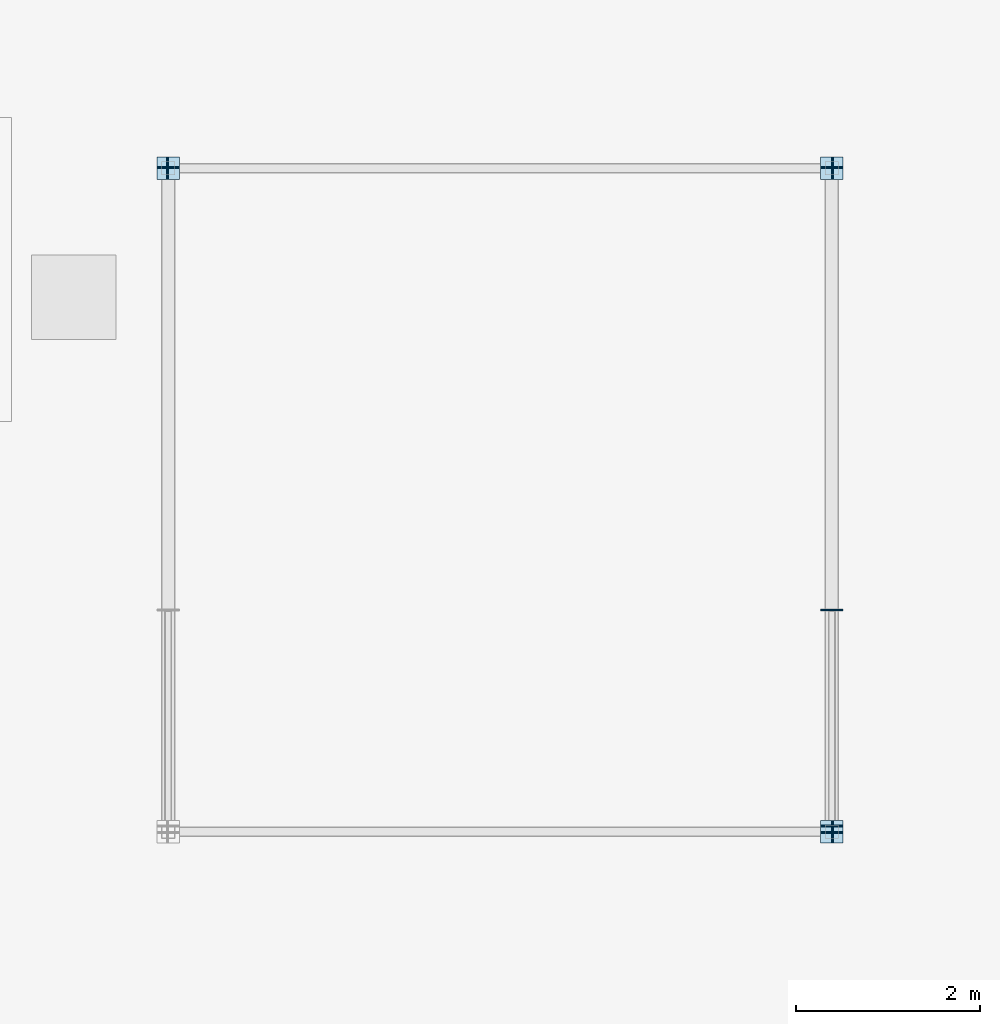
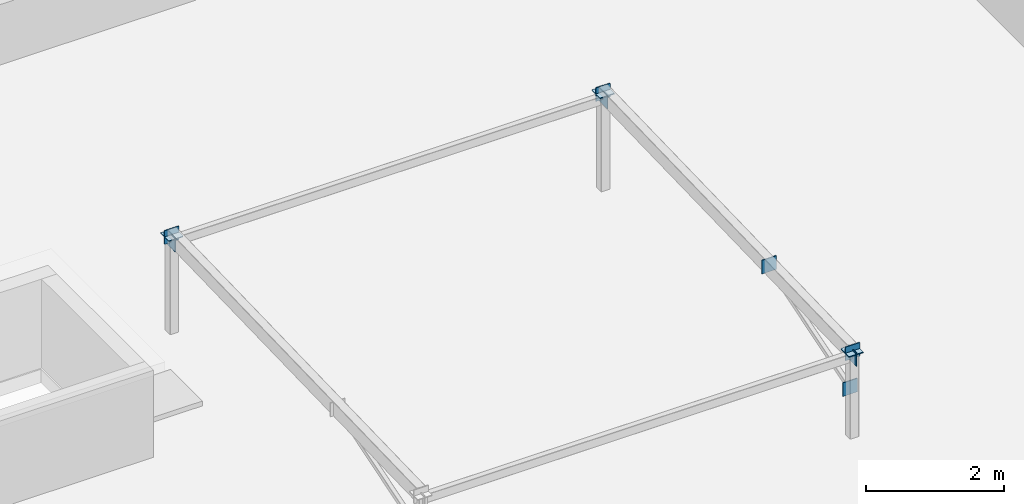
# One storey, part 8 of 16: 11 plates.
"""IFC4 building model written with IfcOpenShell, lengths in metres."""

from ifc_helpers import new_model, si_unit, direction, frame, origin, origin_2d, place, context, subcontext, project, spatial, rectangle, extrude, material, layer, layer_set, type_object, element, save


model = new_model("IFC4")

# Units and contexts
model_context = context("Model", 3, precision=1e-05, world=origin(), true_north=direction((0.0, 1.0)))
body_context = subcontext(model_context, "Body", "Model", "MODEL_VIEW")
ifc_project = project(units=[si_unit("LENGTHUNIT", "METRE"), si_unit("AREAUNIT", "SQUARE_METRE"), si_unit("VOLUMEUNIT", "CUBIC_METRE"), si_unit("PLANEANGLEUNIT", "RADIAN"), si_unit("MASSUNIT", "GRAM", prefix="KILO")], contexts=[model_context])

# Site, building, storey
site_placement = place(None, origin())
site = spatial("IfcSite", under=ifc_project, at=site_placement, CompositionType="ELEMENT")
building_placement = place(site_placement, origin())
building = spatial("IfcBuilding", under=site, at=building_placement, Name="Ochrevale Crest", CompositionType="ELEMENT")
storey_placement = place(building_placement, frame((0.0, 0.0, 46.5)))
storey = spatial("IfcBuildingStorey", under=building, at=storey_placement, Name="L14", CompositionType="ELEMENT", Elevation=46.5)

# Plates
ifc_material = material(Name="Steel S355", Category="steel")
ifc_layer = layer(ifc_material, 0.01611328125)
ifc_layer_set = layer_set([ifc_layer], Name="Steel S355")
plate_type = type_object("IfcPlateType", Name="PLT-CAP-16", PredefinedType="USERDEFINED", material=ifc_layer_set)
plate_1_placement = place(storey_placement, frame((151.199951171875, 28.800048828125, 1.719970703125), z_axis=(0.0, 0.0, 1.0), x_axis=(1.0, 0.0, 0.0)))
element("IfcPlate", 1, at=plate_1_placement, inside=storey, type_object=plate_type, Name="Block C solar-frame support post welded end cap plate CE", ObjectType="CAP PLATE", PredefinedType="USERDEFINED", context=body_context, shape_type="SweptSolid", body=[
    extrude(rectangle(XDim=0.239990234375, YDim=0.239990234375, at=origin_2d()), origin(), (0.0, 0.0, 1.0), 0.01611328125),
])
plate_2_placement = place(storey_placement, frame((151.199951171875, 28.80810546875, 1.60009765625), z_axis=(0.0, 0.0, 1.0), x_axis=(0.0, 1.0, 0.0)))
element("IfcPlate", 2, at=plate_2_placement, inside=storey, type_object=plate_type, Name="Block C solar-frame array rafter 3 welded end cap plate CE", ObjectType="CAP PLATE", PredefinedType="USERDEFINED", context=body_context, shape_type="SweptSolid", body=[
    extrude(rectangle(XDim=0.01611328125, YDim=0.239990234375, at=origin_2d()), origin(), (0.0, 0.0, 1.0), 0.239990234375),
])
for number, where, z_axis, x_axis, name in (
    (3, (158.39990234375, 21.60009765625, 1.52001953125), (0.0, 0.0, 1.0), (1.0, 0.0, 0.0), "Block C solar-frame support post welded end cap plate CE"),
    (4, (158.39990234375, 28.800048828125, 1.719970703125), (0.0, 0.0, 1.0), (1.0, 0.0, 0.0), "Block C solar-frame support post welded end cap plate CE"),
):
    element("IfcPlate", number, at=place(storey_placement, frame(where, z_axis=z_axis, x_axis=x_axis)), inside=storey, type_object=plate_type, Name=name, ObjectType="CAP PLATE", PredefinedType="USERDEFINED", context=body_context, shape_type="SweptSolid", body=[
        extrude(rectangle(XDim=0.239990234375, YDim=0.239990234375, at=origin_2d()), origin(), (0.0, 0.0, 1.0), 0.01611328125),
    ])
for number, where, z_axis, x_axis, name in (
    (5, (158.39990234375, 21.592041015625, 1.39990234375), (0.0, 0.0, 1.0), (0.0, 1.0, 0.0), "Block C solar-frame array rafter 4 welded end cap plate CS"),
    (6, (158.39990234375, 28.80810546875, 1.60009765625), (0.0, 0.0, 1.0), (0.0, 1.0, 0.0), "Block C solar-frame array rafter 4 welded end cap plate CE"),
    (7, (158.39990234375, 21.662353515625, 0.7275390625), (0.0, 0.0, 1.0), (0.0, 1.0, 0.0), "Block C solar-frame knee-brace strut 4 welded end cap plate CS"),
    (8, (158.39990234375, 24.007568359375, 1.46728515625), (0.0, 0.0, 1.0), (0.0, 1.0, 0.0), "Block C solar-frame knee-brace strut 4 welded end cap plate CE"),
    (9, (158.407958984375, 21.60009765625, 1.31982421875), (0.0, 0.0, 1.0), (1.0, 0.0, 0.0), "Block C solar-frame purlin E welded end cap plate CE"),
    (10, (151.19189453125, 28.800048828125, 1.5), (0.0, 0.0, 1.0), (1.0, 0.0, 0.0), "Block C solar-frame purlin E welded end cap plate CS"),
    (11, (158.407958984375, 28.800048828125, 1.5), (0.0, 0.0, 1.0), (1.0, 0.0, 0.0), "Block C solar-frame purlin E welded end cap plate CE"),
):
    element("IfcPlate", number, at=place(storey_placement, frame(where, z_axis=z_axis, x_axis=x_axis)), inside=storey, type_object=plate_type, Name=name, ObjectType="CAP PLATE", PredefinedType="USERDEFINED", context=body_context, shape_type="SweptSolid", body=[
        extrude(rectangle(XDim=0.01611328125, YDim=0.239990234375, at=origin_2d()), origin(), (0.0, 0.0, 1.0), 0.239990234375),
    ])

save(model, "model.ifc")
